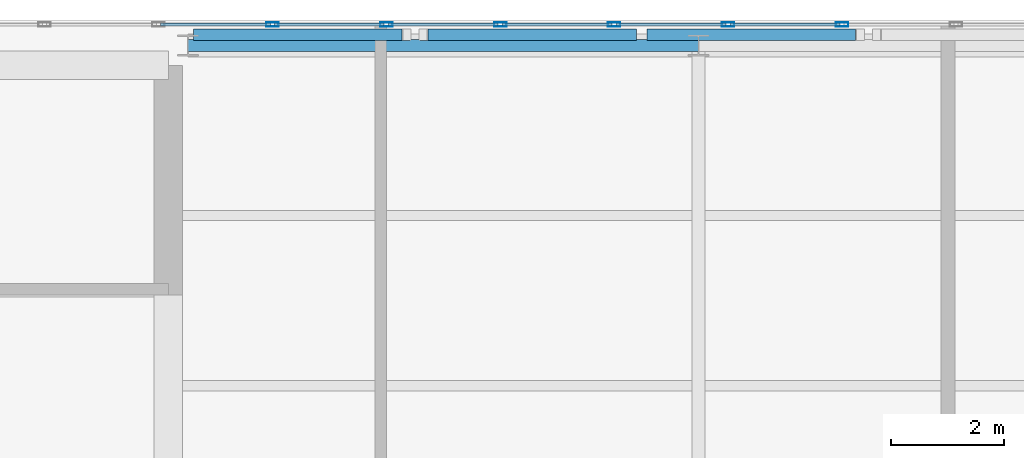
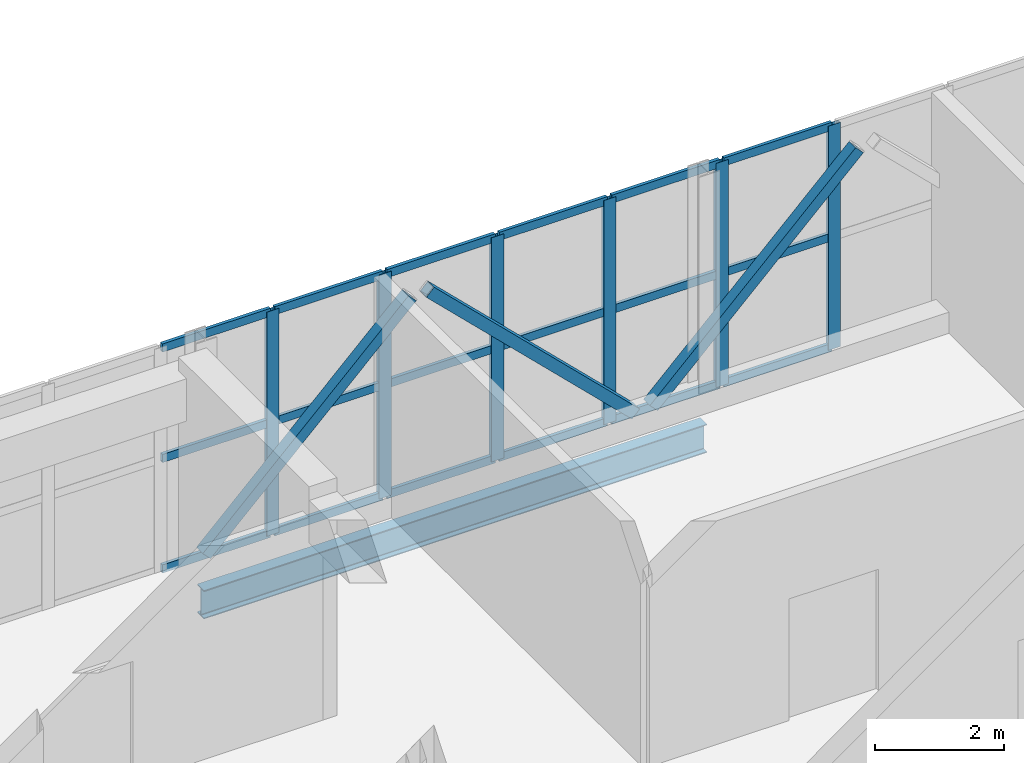
# One storey, part 11 of 21: 27 members, 1 beam, 1 element without a shape of its own.
"""IFC4 building model written with IfcOpenShell, lengths in metres."""

from ifc_helpers import new_model, si_unit, direction, frame, origin, origin_2d, place, context, subcontext, project, spatial, hollow_rectangle, i_section, extrude, material, layer, layer_set, material_profile, profile_set, type_object, element, aggregate, save


model = new_model("IFC4")

# Units and contexts
model_context = context("Model", 3, precision=1e-05, world=origin(), true_north=direction((0.0, 1.0)))
body_context = subcontext(model_context, "Body", "Model", "MODEL_VIEW")
ifc_project = project(units=[si_unit("LENGTHUNIT", "METRE"), si_unit("AREAUNIT", "SQUARE_METRE"), si_unit("VOLUMEUNIT", "CUBIC_METRE"), si_unit("PLANEANGLEUNIT", "RADIAN"), si_unit("MASSUNIT", "GRAM", prefix="KILO")], contexts=[model_context])

# Site, building, storey
site_placement = place(None, origin())
site = spatial("IfcSite", under=ifc_project, at=site_placement, CompositionType="ELEMENT")
building_placement = place(site_placement, origin())
building = spatial("IfcBuilding", under=site, at=building_placement, Name="Mawjdan Bourse Tower", CompositionType="ELEMENT")
storey_placement = place(building_placement, frame((0.0, 0.0, 317.699951171875)))
storey = spatial("IfcBuildingStorey", under=building, at=storey_placement, Name="L78", CompositionType="ELEMENT", Elevation=317.699951171875)

# Members
ifc_material_1 = material(Name="Structural Steel S355", Category="steel")
ifc_material_profile_1 = material_profile(ifc_material_1, hollow_rectangle(XDim=0.199951171875, YDim=0.199951171875, WallThickness=0.010009765625, at=origin_2d()), Name="HSS200X200X10")
ifc_profile_set_1 = profile_set([ifc_material_profile_1], Name="Structural Steel S355")
member_type_1 = type_object("IfcMemberType", Name="BRC-HSS200X200X10", PredefinedType="BRACE", material=ifc_profile_set_1)
for number, where, z_axis, x_axis, name in (
    (1, (24.159912109375, 21.18994140625, 0.199951171875), (0.715813788729, 0.0, 0.698291214227), (0.0, 1.0, 0.0), "L78 Lantern Crown Braced Frame North Diagonal 1"),
    (2, (28.159912109375, 21.18994140625, 3.7900390625), (0.715813788729, 0.0, -0.698291214227), (0.0, 1.0, 0.0), "L78 Lantern Crown Braced Frame North Diagonal 2"),
    (3, (32.159912109375, 21.18994140625, 0.199951171875), (0.715813788729, 0.0, 0.698291214227), (0.0, 1.0, 0.0), "L78 Lantern Crown Braced Frame North Diagonal 3"),
):
    element("IfcMember", number, at=place(storey_placement, frame(where, z_axis=z_axis, x_axis=x_axis)), inside=storey, type_object=member_type_1, Name=name, PredefinedType="BRACE", context=body_context, shape_type="SweptSolid", body=[
        extrude(hollow_rectangle(XDim=0.199951171875, YDim=0.199951171875, WallThickness=0.010009765625, at=origin_2d()), origin(), (0.0, 0.0, 1.0), 5.141357421875),
    ])

# Curtain wall, members
ifc_material_2 = material(Name="Thermally Broken Aluminium and Solar Glass", Category="aluminium")
ifc_layer = layer(ifc_material_2, 0.219970703125)
ifc_layer_set = layer_set([ifc_layer], Name="Thermally Broken Aluminium and Solar Glass")
curtain_wall_type = type_object("IfcCurtainWallType", Name="CW-CRN", PredefinedType="USERDEFINED", material=ifc_layer_set)
curtain_wall_placement = place(storey_placement, origin())
curtain_wall = element("IfcCurtainWall", 4, at=curtain_wall_placement, inside=storey, type_object=curtain_wall_type, Name="L78 Lantern Crown North Curtain Wall", ObjectType="LANTERN GLAZED CROWN", PredefinedType="USERDEFINED")
ifc_material_3 = material(Name="Thermally Broken Anodised Aluminium", Category="aluminium")
ifc_material_profile_2 = material_profile(ifc_material_3, hollow_rectangle(XDim=0.074951171875, YDim=0.219970703125, WallThickness=0.0048828125, at=origin_2d()), Name="ALU-MUL-220X75")
ifc_profile_set_2 = profile_set([ifc_material_profile_2], Name="Thermally Broken Anodised Aluminium")
member_type_2 = type_object("IfcMemberType", Name="MUL-ALU-MUL-220X75", PredefinedType="MULLION", material=ifc_profile_set_2)
member_1_placement = place(storey_placement, frame((35.533447265625, 21.3701171875, 0.0), z_axis=(0.0, 0.0, 1.0), x_axis=(0.0, -1.0, 0.0)))
member_1 = element("IfcMember", 5, at=member_1_placement, type_object=member_type_2, Name="CW-CRN-L78-CRN-N mullion 8", PredefinedType="MULLION", context=body_context, shape_type="SweptSolid", body=[
    extrude(hollow_rectangle(XDim=0.074951171875, YDim=0.219970703125, WallThickness=0.0048828125, at=origin_2d()), origin(), (0.0, 0.0, 1.0), 4.239990234375),
])
member_2_placement = place(storey_placement, frame((33.52392578125, 21.3701171875, 0.0), z_axis=(0.0, 0.0, 1.0), x_axis=(0.0, -1.0, 0.0)))
member_2 = element("IfcMember", 6, at=member_2_placement, type_object=member_type_2, Name="CW-CRN-L78-CRN-N mullion 9", PredefinedType="MULLION", context=body_context, shape_type="SweptSolid", body=[
    extrude(hollow_rectangle(XDim=0.074951171875, YDim=0.219970703125, WallThickness=0.0048828125, at=origin_2d()), origin(), (0.0, 0.0, 1.0), 4.239990234375),
])
member_3_placement = place(storey_placement, frame((31.514404296875, 21.3701171875, 0.0), z_axis=(0.0, 0.0, 1.0), x_axis=(0.0, -1.0, 0.0)))
member_3 = element("IfcMember", 7, at=member_3_placement, type_object=member_type_2, Name="CW-CRN-L78-CRN-N mullion 10", PredefinedType="MULLION", context=body_context, shape_type="SweptSolid", body=[
    extrude(hollow_rectangle(XDim=0.074951171875, YDim=0.219970703125, WallThickness=0.0048828125, at=origin_2d()), origin(), (0.0, 0.0, 1.0), 4.239990234375),
])
member_4_placement = place(storey_placement, frame((29.5048828125, 21.3701171875, 0.0), z_axis=(0.0, 0.0, 1.0), x_axis=(0.0, -1.0, 0.0)))
member_4 = element("IfcMember", 8, at=member_4_placement, type_object=member_type_2, Name="CW-CRN-L78-CRN-N mullion 11", PredefinedType="MULLION", context=body_context, shape_type="SweptSolid", body=[
    extrude(hollow_rectangle(XDim=0.074951171875, YDim=0.219970703125, WallThickness=0.0048828125, at=origin_2d()), origin(), (0.0, 0.0, 1.0), 4.239990234375),
])
member_5_placement = place(storey_placement, frame((27.4951171875, 21.3701171875, 0.0), z_axis=(0.0, 0.0, 1.0), x_axis=(0.0, -1.0, 0.0)))
member_5 = element("IfcMember", 9, at=member_5_placement, type_object=member_type_2, Name="CW-CRN-L78-CRN-N mullion 12", PredefinedType="MULLION", context=body_context, shape_type="SweptSolid", body=[
    extrude(hollow_rectangle(XDim=0.074951171875, YDim=0.219970703125, WallThickness=0.0048828125, at=origin_2d()), origin(), (0.0, 0.0, 1.0), 4.239990234375),
])
member_6_placement = place(storey_placement, frame((25.485595703125, 21.3701171875, 0.0), z_axis=(0.0, 0.0, 1.0), x_axis=(0.0, -1.0, 0.0)))
member_6 = element("IfcMember", 10, at=member_6_placement, type_object=member_type_2, Name="CW-CRN-L78-CRN-N mullion 13", PredefinedType="MULLION", context=body_context, shape_type="SweptSolid", body=[
    extrude(hollow_rectangle(XDim=0.074951171875, YDim=0.219970703125, WallThickness=0.0048828125, at=origin_2d()), origin(), (0.0, 0.0, 1.0), 4.239990234375),
])

# Beam
ifc_material_profile_3 = material_profile(ifc_material_1, i_section(OverallWidth=0.2099609375, OverallDepth=0.537109375, WebThickness=0.010986328125, FlangeThickness=0.017333984375, FilletRadius=0.013916015625, at=origin_2d()), Name="W21X68")
ifc_profile_set_3 = profile_set([ifc_material_profile_3], Name="Structural Steel S355")
beam_type = type_object("IfcBeamType", Name="SPN-W21X68", PredefinedType="SPANDREL", material=ifc_profile_set_3)
beam_placement = place(storey_placement, frame((24.0, 21.0, -0.54833984375), z_axis=(1.0, 0.0, 0.0), x_axis=(0.0, 1.0, 0.0)))
element("IfcBeam", 11, at=beam_placement, inside=storey, type_object=beam_type, Name="L78 Perimeter Masonry-Shelf Spandrel 008", PredefinedType="SPANDREL", context=body_context, shape_type="SweptSolid", body=[
    extrude(i_section(OverallWidth=0.2099609375, OverallDepth=0.537109375, WebThickness=0.010986328125, FlangeThickness=0.017333984375, FilletRadius=0.013916015625, at=origin_2d()), origin(), (0.0, 0.0, 1.0), 9.0),
])

# Member
ifc_material_profile_4 = material_profile(ifc_material_3, hollow_rectangle(XDim=0.06005859375, YDim=0.155029296875, WallThickness=0.00390625, at=origin_2d()), Name="ALU-TRN-155X60")
ifc_profile_set_4 = profile_set([ifc_material_profile_4], Name="Thermally Broken Anodised Aluminium")
member_type_3 = type_object("IfcMemberType", Name="TRN-ALU-TRN-155X60", PredefinedType="USERDEFINED", material=ifc_profile_set_4)
member_7_placement = place(storey_placement, frame((35.495849609375, 21.3701171875, 0.030029296875), z_axis=(-1.0, 0.0, 0.0), x_axis=(0.0, -1.0, 0.0)))
member_7 = element("IfcMember", 12, at=member_7_placement, type_object=member_type_3, Name="CW-CRN-L78-CRN-N transom 8.1", ObjectType="TRANSOM", PredefinedType="USERDEFINED", context=body_context, shape_type="SweptSolid", body=[
    extrude(hollow_rectangle(XDim=0.06005859375, YDim=0.155029296875, WallThickness=0.00390625, at=origin_2d()), origin(), (0.0, 0.0, 1.0), 1.9345703125),
])

member_8_placement = place(storey_placement, frame((35.495849609375, 21.3701171875, 2.1201171875), z_axis=(-1.0, 0.0, 0.0), x_axis=(0.0, -1.0, 0.0)))
member_8 = element("IfcMember", 13, at=member_8_placement, type_object=member_type_3, Name="CW-CRN-L78-CRN-N transom 8.2", ObjectType="TRANSOM", PredefinedType="USERDEFINED", context=body_context, shape_type="SweptSolid", body=[
    extrude(hollow_rectangle(XDim=0.06005859375, YDim=0.155029296875, WallThickness=0.00390625, at=origin_2d()), origin(), (0.0, 0.0, 1.0), 1.9345703125),
])

member_9_placement = place(storey_placement, frame((35.495849609375, 21.3701171875, 4.2099609375), z_axis=(-1.0, 0.0, 0.0), x_axis=(0.0, -1.0, 0.0)))
member_9 = element("IfcMember", 14, at=member_9_placement, type_object=member_type_3, Name="CW-CRN-L78-CRN-N transom 8.3", ObjectType="TRANSOM", PredefinedType="USERDEFINED", context=body_context, shape_type="SweptSolid", body=[
    extrude(hollow_rectangle(XDim=0.06005859375, YDim=0.155029296875, WallThickness=0.00390625, at=origin_2d()), origin(), (0.0, 0.0, 1.0), 1.9345703125),
])

member_10_placement = place(storey_placement, frame((33.486328125, 21.3701171875, 0.030029296875), z_axis=(-1.0, 0.0, 0.0), x_axis=(0.0, -1.0, 0.0)))
member_10 = element("IfcMember", 15, at=member_10_placement, type_object=member_type_3, Name="CW-CRN-L78-CRN-N transom 9.1", ObjectType="TRANSOM", PredefinedType="USERDEFINED", context=body_context, shape_type="SweptSolid", body=[
    extrude(hollow_rectangle(XDim=0.06005859375, YDim=0.155029296875, WallThickness=0.00390625, at=origin_2d()), origin(), (0.0, 0.0, 1.0), 1.9345703125),
])

member_11_placement = place(storey_placement, frame((33.486328125, 21.3701171875, 2.1201171875), z_axis=(-1.0, 0.0, 0.0), x_axis=(0.0, -1.0, 0.0)))
member_11 = element("IfcMember", 16, at=member_11_placement, type_object=member_type_3, Name="CW-CRN-L78-CRN-N transom 9.2", ObjectType="TRANSOM", PredefinedType="USERDEFINED", context=body_context, shape_type="SweptSolid", body=[
    extrude(hollow_rectangle(XDim=0.06005859375, YDim=0.155029296875, WallThickness=0.00390625, at=origin_2d()), origin(), (0.0, 0.0, 1.0), 1.9345703125),
])

member_12_placement = place(storey_placement, frame((33.486328125, 21.3701171875, 4.2099609375), z_axis=(-1.0, 0.0, 0.0), x_axis=(0.0, -1.0, 0.0)))
member_12 = element("IfcMember", 17, at=member_12_placement, type_object=member_type_3, Name="CW-CRN-L78-CRN-N transom 9.3", ObjectType="TRANSOM", PredefinedType="USERDEFINED", context=body_context, shape_type="SweptSolid", body=[
    extrude(hollow_rectangle(XDim=0.06005859375, YDim=0.155029296875, WallThickness=0.00390625, at=origin_2d()), origin(), (0.0, 0.0, 1.0), 1.9345703125),
])

member_13_placement = place(storey_placement, frame((31.476806640625, 21.3701171875, 0.030029296875), z_axis=(-1.0, 0.0, 0.0), x_axis=(0.0, -1.0, 0.0)))
member_13 = element("IfcMember", 18, at=member_13_placement, type_object=member_type_3, Name="CW-CRN-L78-CRN-N transom 10.1", ObjectType="TRANSOM", PredefinedType="USERDEFINED", context=body_context, shape_type="SweptSolid", body=[
    extrude(hollow_rectangle(XDim=0.06005859375, YDim=0.155029296875, WallThickness=0.00390625, at=origin_2d()), origin(), (0.0, 0.0, 1.0), 1.9345703125),
])

member_14_placement = place(storey_placement, frame((31.476806640625, 21.3701171875, 2.1201171875), z_axis=(-1.0, 0.0, 0.0), x_axis=(0.0, -1.0, 0.0)))
member_14 = element("IfcMember", 19, at=member_14_placement, type_object=member_type_3, Name="CW-CRN-L78-CRN-N transom 10.2", ObjectType="TRANSOM", PredefinedType="USERDEFINED", context=body_context, shape_type="SweptSolid", body=[
    extrude(hollow_rectangle(XDim=0.06005859375, YDim=0.155029296875, WallThickness=0.00390625, at=origin_2d()), origin(), (0.0, 0.0, 1.0), 1.9345703125),
])

member_15_placement = place(storey_placement, frame((31.476806640625, 21.3701171875, 4.2099609375), z_axis=(-1.0, 0.0, 0.0), x_axis=(0.0, -1.0, 0.0)))
member_15 = element("IfcMember", 20, at=member_15_placement, type_object=member_type_3, Name="CW-CRN-L78-CRN-N transom 10.3", ObjectType="TRANSOM", PredefinedType="USERDEFINED", context=body_context, shape_type="SweptSolid", body=[
    extrude(hollow_rectangle(XDim=0.06005859375, YDim=0.155029296875, WallThickness=0.00390625, at=origin_2d()), origin(), (0.0, 0.0, 1.0), 1.9345703125),
])

member_16_placement = place(storey_placement, frame((29.46728515625, 21.3701171875, 0.030029296875), z_axis=(-1.0, 0.0, 0.0), x_axis=(0.0, -1.0, 0.0)))
member_16 = element("IfcMember", 21, at=member_16_placement, type_object=member_type_3, Name="CW-CRN-L78-CRN-N transom 11.1", ObjectType="TRANSOM", PredefinedType="USERDEFINED", context=body_context, shape_type="SweptSolid", body=[
    extrude(hollow_rectangle(XDim=0.06005859375, YDim=0.155029296875, WallThickness=0.00390625, at=origin_2d()), origin(), (0.0, 0.0, 1.0), 1.9345703125),
])

member_17_placement = place(storey_placement, frame((29.46728515625, 21.3701171875, 2.1201171875), z_axis=(-1.0, 0.0, 0.0), x_axis=(0.0, -1.0, 0.0)))
member_17 = element("IfcMember", 22, at=member_17_placement, type_object=member_type_3, Name="CW-CRN-L78-CRN-N transom 11.2", ObjectType="TRANSOM", PredefinedType="USERDEFINED", context=body_context, shape_type="SweptSolid", body=[
    extrude(hollow_rectangle(XDim=0.06005859375, YDim=0.155029296875, WallThickness=0.00390625, at=origin_2d()), origin(), (0.0, 0.0, 1.0), 1.9345703125),
])

member_18_placement = place(storey_placement, frame((29.46728515625, 21.3701171875, 4.2099609375), z_axis=(-1.0, 0.0, 0.0), x_axis=(0.0, -1.0, 0.0)))
member_18 = element("IfcMember", 23, at=member_18_placement, type_object=member_type_3, Name="CW-CRN-L78-CRN-N transom 11.3", ObjectType="TRANSOM", PredefinedType="USERDEFINED", context=body_context, shape_type="SweptSolid", body=[
    extrude(hollow_rectangle(XDim=0.06005859375, YDim=0.155029296875, WallThickness=0.00390625, at=origin_2d()), origin(), (0.0, 0.0, 1.0), 1.9345703125),
])

member_19_placement = place(storey_placement, frame((27.457763671875, 21.3701171875, 0.030029296875), z_axis=(-1.0, 0.0, 0.0), x_axis=(0.0, -1.0, 0.0)))
member_19 = element("IfcMember", 24, at=member_19_placement, type_object=member_type_3, Name="CW-CRN-L78-CRN-N transom 12.1", ObjectType="TRANSOM", PredefinedType="USERDEFINED", context=body_context, shape_type="SweptSolid", body=[
    extrude(hollow_rectangle(XDim=0.06005859375, YDim=0.155029296875, WallThickness=0.00390625, at=origin_2d()), origin(), (0.0, 0.0, 1.0), 1.9345703125),
])

member_20_placement = place(storey_placement, frame((27.457763671875, 21.3701171875, 2.1201171875), z_axis=(-1.0, 0.0, 0.0), x_axis=(0.0, -1.0, 0.0)))
member_20 = element("IfcMember", 25, at=member_20_placement, type_object=member_type_3, Name="CW-CRN-L78-CRN-N transom 12.2", ObjectType="TRANSOM", PredefinedType="USERDEFINED", context=body_context, shape_type="SweptSolid", body=[
    extrude(hollow_rectangle(XDim=0.06005859375, YDim=0.155029296875, WallThickness=0.00390625, at=origin_2d()), origin(), (0.0, 0.0, 1.0), 1.9345703125),
])

member_21_placement = place(storey_placement, frame((27.457763671875, 21.3701171875, 4.2099609375), z_axis=(-1.0, 0.0, 0.0), x_axis=(0.0, -1.0, 0.0)))
member_21 = element("IfcMember", 26, at=member_21_placement, type_object=member_type_3, Name="CW-CRN-L78-CRN-N transom 12.3", ObjectType="TRANSOM", PredefinedType="USERDEFINED", context=body_context, shape_type="SweptSolid", body=[
    extrude(hollow_rectangle(XDim=0.06005859375, YDim=0.155029296875, WallThickness=0.00390625, at=origin_2d()), origin(), (0.0, 0.0, 1.0), 1.9345703125),
])

member_22_placement = place(storey_placement, frame((25.4482421875, 21.3701171875, 0.030029296875), z_axis=(-1.0, 0.0, 0.0), x_axis=(0.0, -1.0, 0.0)))
member_22 = element("IfcMember", 27, at=member_22_placement, type_object=member_type_3, Name="CW-CRN-L78-CRN-N transom 13.1", ObjectType="TRANSOM", PredefinedType="USERDEFINED", context=body_context, shape_type="SweptSolid", body=[
    extrude(hollow_rectangle(XDim=0.06005859375, YDim=0.155029296875, WallThickness=0.00390625, at=origin_2d()), origin(), (0.0, 0.0, 1.0), 1.9345703125),
])

member_23_placement = place(storey_placement, frame((25.4482421875, 21.3701171875, 2.1201171875), z_axis=(-1.0, 0.0, 0.0), x_axis=(0.0, -1.0, 0.0)))
member_23 = element("IfcMember", 28, at=member_23_placement, type_object=member_type_3, Name="CW-CRN-L78-CRN-N transom 13.2", ObjectType="TRANSOM", PredefinedType="USERDEFINED", context=body_context, shape_type="SweptSolid", body=[
    extrude(hollow_rectangle(XDim=0.06005859375, YDim=0.155029296875, WallThickness=0.00390625, at=origin_2d()), origin(), (0.0, 0.0, 1.0), 1.9345703125),
])

member_24_placement = place(storey_placement, frame((25.4482421875, 21.3701171875, 4.2099609375), z_axis=(-1.0, 0.0, 0.0), x_axis=(0.0, -1.0, 0.0)))
member_24 = element("IfcMember", 29, at=member_24_placement, type_object=member_type_3, Name="CW-CRN-L78-CRN-N transom 13.3", ObjectType="TRANSOM", PredefinedType="USERDEFINED", context=body_context, shape_type="SweptSolid", body=[
    extrude(hollow_rectangle(XDim=0.06005859375, YDim=0.155029296875, WallThickness=0.00390625, at=origin_2d()), origin(), (0.0, 0.0, 1.0), 1.9345703125),
])

aggregate(curtain_wall, [member_1, member_2, member_3, member_4, member_5, member_6, member_7, member_8, member_9, member_10, member_11, member_12, member_13, member_14, member_15, member_16, member_17, member_18, member_19, member_20, member_21, member_22, member_23, member_24])

save(model, "model.ifc")
